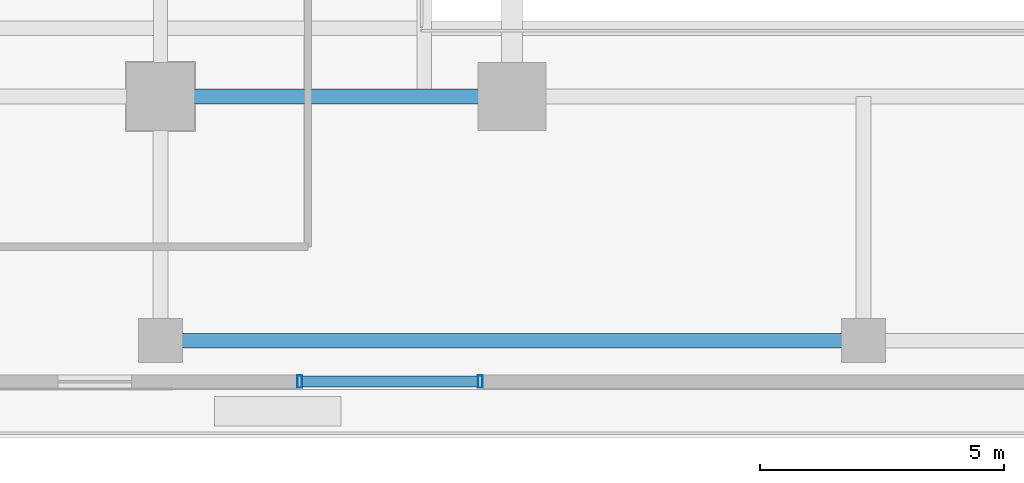
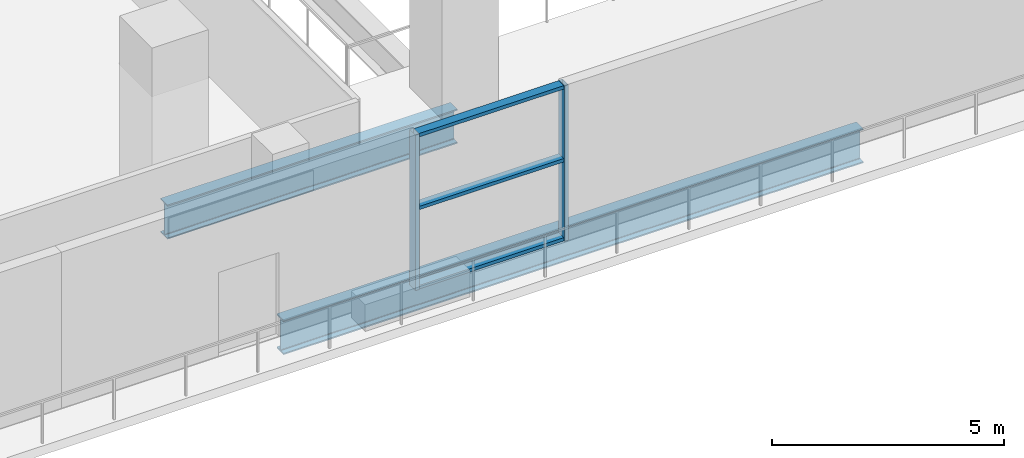
# One storey, part 2 of 22: 5 members, 2 beams, 1 element without a shape of its own.
"""IFC4 building model written with IfcOpenShell, lengths in metres."""

from ifc_helpers import new_model, si_unit, direction, frame, origin, origin_2d, place, context, subcontext, project, spatial, hollow_rectangle, i_section, extrude, source, transform, mapped, material, layer, layer_set, material_profile, profile_set, type_object, element, aggregate, save


model = new_model("IFC4")

# Units and contexts
model_context = context("Model", 3, precision=1e-05, world=origin(), true_north=direction((0.0, 1.0)))
body_context = subcontext(model_context, "Body", "Model", "MODEL_VIEW")
ifc_project = project(units=[si_unit("LENGTHUNIT", "METRE"), si_unit("AREAUNIT", "SQUARE_METRE"), si_unit("VOLUMEUNIT", "CUBIC_METRE"), si_unit("PLANEANGLEUNIT", "RADIAN"), si_unit("MASSUNIT", "GRAM", prefix="KILO")], contexts=[model_context])

# Site, building, storey
site_placement = place(None, origin())
site = spatial("IfcSite", under=ifc_project, at=site_placement, CompositionType="ELEMENT")
building_placement = place(site_placement, origin())
building = spatial("IfcBuilding", under=site, at=building_placement, Name="Zarnakvel Exchange Tower", CompositionType="ELEMENT")
storey_placement = place(building_placement, frame((0.0, 0.0, 9.39990234375)))
storey = spatial("IfcBuildingStorey", under=building, at=storey_placement, Name="L02", CompositionType="ELEMENT", Elevation=9.39990234375)

# Beams
ifc_material_1 = material(Name="Steel S355", Category="steel")
ifc_material_profile_1 = material_profile(ifc_material_1, i_section(OverallWidth=0.300048828125, OverallDepth=0.89990234375, WebThickness=0.0185546875, FlangeThickness=0.034912109375, FilletRadius=0.030029296875, at=origin_2d()))
ifc_profile_set_1 = profile_set([ifc_material_profile_1], Name="Steel S355")
beam_type = type_object("IfcBeamType", Name="G-01", PredefinedType="BEAM", material=ifc_profile_set_1)
beam_1_placement = place(storey_placement, frame((-14.39990234375, -18.199951171875, -0.75), z_axis=(1.0, 0.0, 0.0), x_axis=(0.0, 1.0, 0.0)))
element("IfcBeam", 1, at=beam_1_placement, inside=storey, type_object=beam_type, Name="L02 Primary E-W Girder Y=-18.2", PredefinedType="BEAM", context=body_context, shape_type="SweptSolid", body=[
    extrude(i_section(OverallWidth=0.300048828125, OverallDepth=0.89990234375, WebThickness=0.0185546875, FlangeThickness=0.034912109375, FilletRadius=0.030029296875, at=origin_2d()), origin(), (0.0, 0.0, 1.0), 7.199951171875),
])
beam_2_placement = place(storey_placement, frame((-14.39990234375, -23.199951171875, -0.75), z_axis=(1.0, 0.0, 0.0), x_axis=(0.0, 1.0, 0.0)))
element("IfcBeam", 2, at=beam_2_placement, inside=storey, type_object=beam_type, Name="L02 Primary E-W Girder Y=-23.2", PredefinedType="BEAM", context=body_context, shape_type="SweptSolid", body=[
    extrude(i_section(OverallWidth=0.300048828125, OverallDepth=0.89990234375, WebThickness=0.0185546875, FlangeThickness=0.034912109375, FilletRadius=0.030029296875, at=origin_2d()), origin(), (0.0, 0.0, 1.0), 14.39990234375),
])

# Curtain wall, members
ifc_material_2 = material(Name="Architectural Bronze Anodised Aluminium", Category="aluminium")
ifc_layer = layer(ifc_material_2, 0.260009765625)
ifc_layer_set = layer_set([ifc_layer], Name="Architectural Bronze Anodised Aluminium")
curtain_wall_type = type_object("IfcCurtainWallType", Name="CW-01", PredefinedType="NOTDEFINED", material=ifc_layer_set)
curtain_wall_placement = place(storey_placement, origin())
curtain_wall = element("IfcCurtainWall", 3, at=curtain_wall_placement, inside=storey, type_object=curtain_wall_type, Name="L02 Curtain Wall CW-L02-S1 (CW-01)", PredefinedType="NOTDEFINED")
ifc_material_profile_2 = material_profile(ifc_material_2, hollow_rectangle(XDim=0.260009765625, YDim=0.10009765625, WallThickness=0.006103515625, at=origin_2d()))
ifc_profile_set_2 = profile_set([ifc_material_profile_2], Name="Architectural Bronze Anodised Aluminium")
member_type_1 = type_object("IfcMemberType", Name="CWM-01", PredefinedType="MULLION", material=ifc_profile_set_2)
shared_shape_1 = source(origin(), body_context, "Body", "SweptSolid", [
    extrude(hollow_rectangle(XDim=0.260009765625, YDim=0.10009765625, WallThickness=0.006103515625, at=origin_2d()), origin(), (0.0, 0.0, 1.0), 4.080078125),
])
member_1_placement = place(storey_placement, frame((-11.550048828125, -24.0400390625, 0.0), z_axis=(0.0, 0.0, 1.0), x_axis=(0.0, 1.0, 0.0)))
member_1 = element("IfcMember", 4, at=member_1_placement, type_object=member_type_1, Name="CW-01 mullion 1", PredefinedType="MULLION", context=body_context, shape_type="MappedRepresentation", body=[
    mapped(shared_shape_1, transform((0.0, 0.0, 0.0), x_axis=(1.0, 0.0, 0.0), y_axis=(0.0, 1.0, 0.0), z_axis=(0.0, 0.0, 1.0), scale=1.0)),
])
member_2_placement = place(storey_placement, frame((-7.85009765625, -24.0400390625, 0.0), z_axis=(0.0, 0.0, 1.0), x_axis=(0.0, 1.0, 0.0)))
member_2 = element("IfcMember", 5, at=member_2_placement, type_object=member_type_1, Name="CW-01 mullion 2", PredefinedType="MULLION", context=body_context, shape_type="MappedRepresentation", body=[
    mapped(shared_shape_1, transform((0.0, 0.0, 0.0), x_axis=(1.0, 0.0, 0.0), y_axis=(0.0, 1.0, 0.0), z_axis=(0.0, 0.0, 1.0), scale=1.0)),
])
ifc_material_profile_3 = material_profile(ifc_material_2, hollow_rectangle(XDim=0.219970703125, YDim=0.090087890625, WallThickness=0.0048828125, at=origin_2d()))
ifc_profile_set_3 = profile_set([ifc_material_profile_3], Name="Architectural Bronze Anodised Aluminium")
member_type_2 = type_object("IfcMemberType", Name="CWT-01", PredefinedType="USERDEFINED", material=ifc_profile_set_3)
shared_shape_2 = source(origin(), body_context, "Body", "SweptSolid", [
    extrude(hollow_rectangle(XDim=0.219970703125, YDim=0.090087890625, WallThickness=0.0048828125, at=origin_2d()), origin(), (0.0, 0.0, 1.0), 3.60009765625),
])
member_3_placement = place(storey_placement, frame((-11.5, -24.0400390625, 0.045166015625), z_axis=(1.0, 0.0, 0.0), x_axis=(0.0, 1.0, 0.0)))
member_3 = element("IfcMember", 6, at=member_3_placement, type_object=member_type_2, Name="CW-01 transom 1.1", ObjectType="TRANSOM", PredefinedType="USERDEFINED", context=body_context, shape_type="MappedRepresentation", body=[
    mapped(shared_shape_2, transform((0.0, 0.0, 0.0), x_axis=(1.0, 0.0, 0.0), y_axis=(0.0, 1.0, 0.0), z_axis=(0.0, 0.0, 1.0), scale=1.0)),
])
member_4_placement = place(storey_placement, frame((-11.5, -24.0400390625, 2.12158203125), z_axis=(1.0, 0.0, 0.0), x_axis=(0.0, 1.0, 0.0)))
member_4 = element("IfcMember", 7, at=member_4_placement, type_object=member_type_2, Name="CW-01 transom 1.2", ObjectType="TRANSOM", PredefinedType="USERDEFINED", context=body_context, shape_type="MappedRepresentation", body=[
    mapped(shared_shape_2, transform((0.0, 0.0, 0.0), x_axis=(1.0, 0.0, 0.0), y_axis=(0.0, 1.0, 0.0), z_axis=(0.0, 0.0, 1.0), scale=1.0)),
])
member_5_placement = place(storey_placement, frame((-11.5, -24.0400390625, 4.03515625), z_axis=(1.0, 0.0, 0.0), x_axis=(0.0, 1.0, 0.0)))
member_5 = element("IfcMember", 8, at=member_5_placement, type_object=member_type_2, Name="CW-01 transom 1.3", ObjectType="TRANSOM", PredefinedType="USERDEFINED", context=body_context, shape_type="MappedRepresentation", body=[
    mapped(shared_shape_2, transform((0.0, 0.0, 0.0), x_axis=(1.0, 0.0, 0.0), y_axis=(0.0, 1.0, 0.0), z_axis=(0.0, 0.0, 1.0), scale=1.0)),
])
aggregate(curtain_wall, [member_1, member_2, member_3, member_4, member_5])

save(model, "model.ifc")
